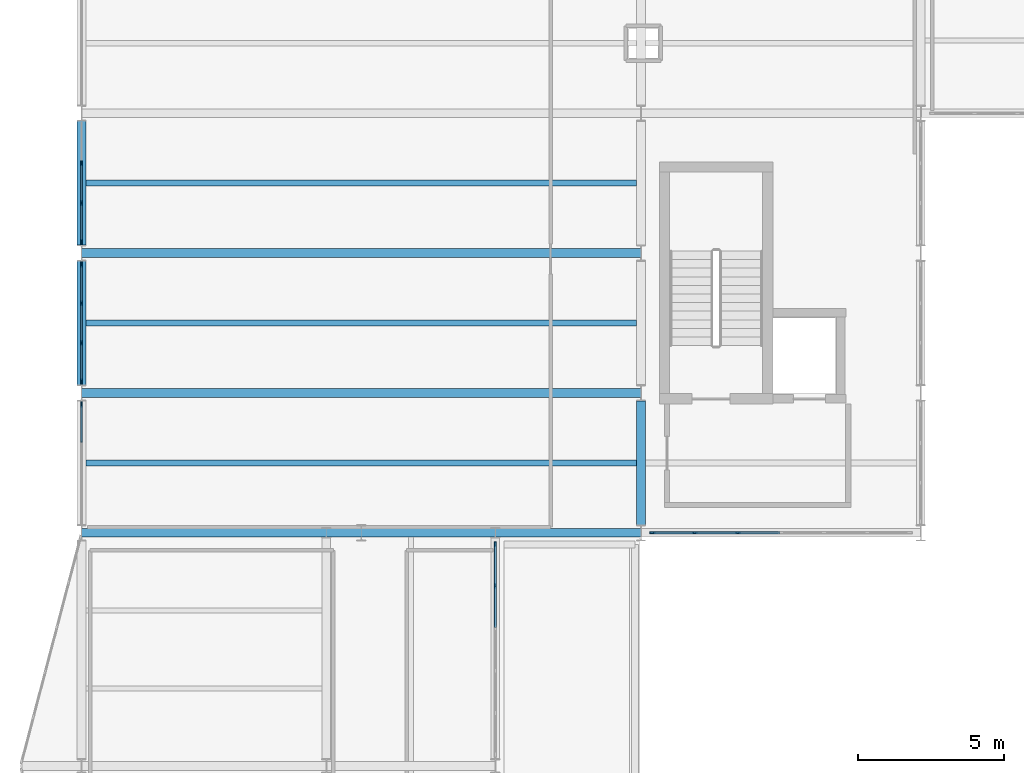
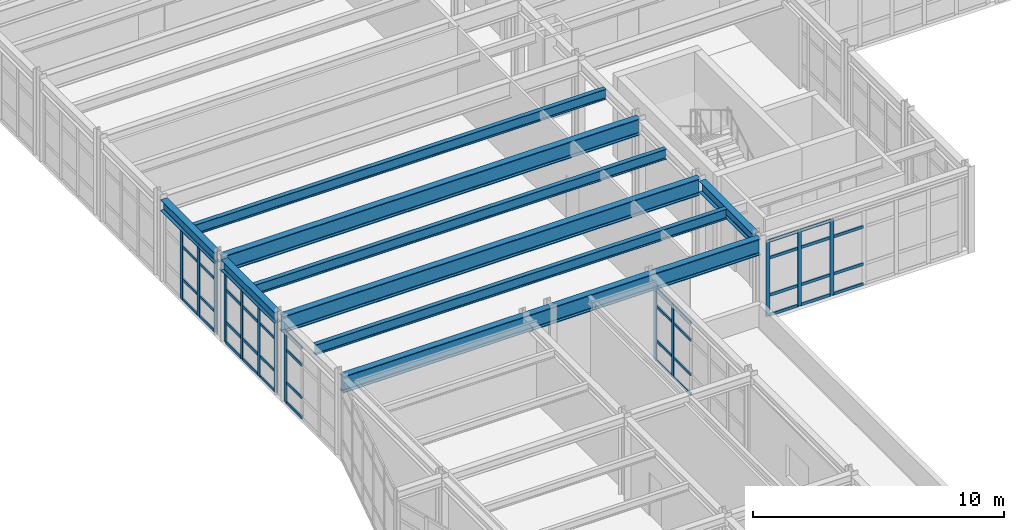
# One storey, part 22 of 64: 56 members, 9 beams, 5 elements without a shape of their own.
"""IFC4 building model written with IfcOpenShell, lengths in metres."""

from ifc_helpers import new_model, si_unit, direction, frame, origin, origin_2d, place, context, subcontext, project, spatial, rectangle, i_section, extrude, material, layer, layer_set, material_profile, profile_set, type_object, element, aggregate, save


model = new_model("IFC4")

# Units and contexts
model_context = context("Model", 3, precision=1e-05, world=origin(), true_north=direction((0.0, 1.0)))
body_context = subcontext(model_context, "Body", "Model", "MODEL_VIEW")
ifc_project = project(units=[si_unit("LENGTHUNIT", "METRE"), si_unit("AREAUNIT", "SQUARE_METRE"), si_unit("VOLUMEUNIT", "CUBIC_METRE"), si_unit("PLANEANGLEUNIT", "RADIAN"), si_unit("MASSUNIT", "GRAM", prefix="KILO")], contexts=[model_context])

# Site, building, storey
site_placement = place(None, origin())
site = spatial("IfcSite", under=ifc_project, at=site_placement, CompositionType="ELEMENT")
building_placement = place(site_placement, origin())
building = spatial("IfcBuilding", under=site, at=building_placement, Name="Nordkorset Police Headquarters", CompositionType="ELEMENT")
storey_placement = place(building_placement, frame((0.0, 0.0, 17.85009765625)))
storey = spatial("IfcBuildingStorey", under=building, at=storey_placement, Name="L04", CompositionType="ELEMENT", Elevation=17.85009765625)

# Beams
ifc_material_1 = material(Name="Steel S355J2", Category="steel")
ifc_material_profile_1 = material_profile(ifc_material_1, i_section(OverallWidth=0.199951171875, OverallDepth=0.5, WebThickness=0.01025390625, FlangeThickness=0.01611328125, FilletRadius=0.02099609375, at=origin_2d()), Name="IPE 500")
ifc_profile_set_1 = profile_set([ifc_material_profile_1], Name="Steel S355J2")
beam_type_1 = type_object("IfcBeamType", Name="Beam_IPE_500", PredefinedType="BEAM", material=ifc_profile_set_1)
for number, where, z_axis, x_axis, name in (
    (1, (0.14990234375, 85.60009765625, 3.739990234375), (1.0, 0.0, 0.0), (0.0, 1.0, 0.0), "Composite Floor Beam V1 L04 0-0-1"),
    (2, (0.14990234375, 90.39990234375, 3.739990234375), (1.0, 0.0, 0.0), (0.0, 1.0, 0.0), "Composite Floor Beam V1 L04 0-1-1"),
    (3, (0.14990234375, 95.199951171875, 3.739990234375), (1.0, 0.0, 0.0), (0.0, 1.0, 0.0), "Composite Floor Beam V1 L04 0-2-1"),
):
    element("IfcBeam", number, at=place(storey_placement, frame(where, z_axis=z_axis, x_axis=x_axis)), inside=storey, type_object=beam_type_1, Name=name, PredefinedType="BEAM", context=body_context, shape_type="SweptSolid", body=[
        extrude(i_section(OverallWidth=0.199951171875, OverallDepth=0.5, WebThickness=0.01025390625, FlangeThickness=0.01611328125, FilletRadius=0.02099609375, at=origin_2d()), origin(), (0.0, 0.0, 1.0), 18.900146484375),
    ])

# Curtain wall, member
ifc_material_2 = material(Name="Aluminium alloy AW-6060", Category="aluminium")
ifc_layer_1 = layer(ifc_material_2, 0.179931640625, Name="Aluminium alloy AW-6060")
ifc_layer_set_1 = layer_set([ifc_layer_1], Name="Aluminium alloy AW-6060")
curtain_wall_type_1 = type_object("IfcCurtainWallType", Name="CW_Unit_408x343", PredefinedType="USERDEFINED", material=ifc_layer_set_1)
curtain_wall_1_placement = place(storey_placement, origin())
curtain_wall_1 = element("IfcCurtainWall", 4, at=curtain_wall_1_placement, inside=storey, type_object=curtain_wall_type_1, Name="Unitised Curtain Wall L04 V1W-0", ObjectType="UNITISED CURTAIN WALL", PredefinedType="USERDEFINED")
ifc_material_3 = material(Name="Aluminium alloy AW-6060", Category="aluminium")
ifc_material_profile_2 = material_profile(ifc_material_3, rectangle(XDim=0.06494140625, YDim=0.179931640625, at=origin_2d()), Name="ALU MULL 65x180")
ifc_profile_set_2 = profile_set([ifc_material_profile_2], Name="Aluminium alloy AW-6060")
member_type_1 = type_object("IfcMemberType", Name="CW_Mullion_65x180", PredefinedType="MULLION", material=ifc_profile_set_2)
member_1_placement = place(storey_placement, frame((0.0, 87.607421875, 0.0), z_axis=(0.0, 0.0, 1.0), x_axis=(-1.0, 0.0, 0.0)))
member_1 = element("IfcMember", 5, at=member_1_placement, type_object=member_type_1, Name="CW-89 mullion 4", PredefinedType="MULLION", context=body_context, shape_type="SweptSolid", body=[
    extrude(rectangle(XDim=0.06494140625, YDim=0.179931640625, at=origin_2d()), origin(), (0.0, 0.0, 1.0), 3.429931640625),
])

# Curtain wall, members
curtain_wall_2_placement = place(storey_placement, origin())
curtain_wall_2 = element("IfcCurtainWall", 6, at=curtain_wall_2_placement, inside=storey, type_object=curtain_wall_type_1, Name="Unitised Curtain Wall L04 V1W-1", ObjectType="UNITISED CURTAIN WALL", PredefinedType="USERDEFINED")
member_2_placement = place(storey_placement, frame((0.0, 88.392578125, 0.0), z_axis=(0.0, 0.0, 1.0), x_axis=(-1.0, 0.0, 0.0)))
member_2 = element("IfcMember", 7, at=member_2_placement, type_object=member_type_1, Name="CW-89 mullion 1", PredefinedType="MULLION", context=body_context, shape_type="SweptSolid", body=[
    extrude(rectangle(XDim=0.06494140625, YDim=0.179931640625, at=origin_2d()), origin(), (0.0, 0.0, 1.0), 3.429931640625),
])
member_3_placement = place(storey_placement, frame((0.0, 89.719970703125, 0.0), z_axis=(0.0, 0.0, 1.0), x_axis=(-1.0, 0.0, 0.0)))
member_3 = element("IfcMember", 8, at=member_3_placement, type_object=member_type_1, Name="CW-89 mullion 2", PredefinedType="MULLION", context=body_context, shape_type="SweptSolid", body=[
    extrude(rectangle(XDim=0.06494140625, YDim=0.179931640625, at=origin_2d()), origin(), (0.0, 0.0, 1.0), 3.429931640625),
])
member_4_placement = place(storey_placement, frame((0.0, 91.080078125, 0.0), z_axis=(0.0, 0.0, 1.0), x_axis=(-1.0, 0.0, 0.0)))
member_4 = element("IfcMember", 9, at=member_4_placement, type_object=member_type_1, Name="CW-89 mullion 3", PredefinedType="MULLION", context=body_context, shape_type="SweptSolid", body=[
    extrude(rectangle(XDim=0.06494140625, YDim=0.179931640625, at=origin_2d()), origin(), (0.0, 0.0, 1.0), 3.429931640625),
])
member_5_placement = place(storey_placement, frame((0.0, 92.407470703125, 0.0), z_axis=(0.0, 0.0, 1.0), x_axis=(-1.0, 0.0, 0.0)))
member_5 = element("IfcMember", 10, at=member_5_placement, type_object=member_type_1, Name="CW-89 mullion 4", PredefinedType="MULLION", context=body_context, shape_type="SweptSolid", body=[
    extrude(rectangle(XDim=0.06494140625, YDim=0.179931640625, at=origin_2d()), origin(), (0.0, 0.0, 1.0), 3.429931640625),
])

curtain_wall_3_placement = place(storey_placement, origin())
curtain_wall_3 = element("IfcCurtainWall", 11, at=curtain_wall_3_placement, inside=storey, type_object=curtain_wall_type_1, Name="Unitised Curtain Wall L04 V1W-2", ObjectType="UNITISED CURTAIN WALL", PredefinedType="USERDEFINED")
member_6_placement = place(storey_placement, frame((0.0, 93.1923828125, 0.0), z_axis=(0.0, 0.0, 1.0), x_axis=(-1.0, 0.0, 0.0)))
member_6 = element("IfcMember", 12, at=member_6_placement, type_object=member_type_1, Name="CW-89 mullion 1", PredefinedType="MULLION", context=body_context, shape_type="SweptSolid", body=[
    extrude(rectangle(XDim=0.06494140625, YDim=0.179931640625, at=origin_2d()), origin(), (0.0, 0.0, 1.0), 3.429931640625),
])
member_7_placement = place(storey_placement, frame((0.0, 94.52001953125, 0.0), z_axis=(0.0, 0.0, 1.0), x_axis=(-1.0, 0.0, 0.0)))
member_7 = element("IfcMember", 13, at=member_7_placement, type_object=member_type_1, Name="CW-89 mullion 2", PredefinedType="MULLION", context=body_context, shape_type="SweptSolid", body=[
    extrude(rectangle(XDim=0.06494140625, YDim=0.179931640625, at=origin_2d()), origin(), (0.0, 0.0, 1.0), 3.429931640625),
])
member_8_placement = place(storey_placement, frame((0.0, 95.8798828125, 0.0), z_axis=(0.0, 0.0, 1.0), x_axis=(-1.0, 0.0, 0.0)))
member_8 = element("IfcMember", 14, at=member_8_placement, type_object=member_type_1, Name="CW-89 mullion 3", PredefinedType="MULLION", context=body_context, shape_type="SweptSolid", body=[
    extrude(rectangle(XDim=0.06494140625, YDim=0.179931640625, at=origin_2d()), origin(), (0.0, 0.0, 1.0), 3.429931640625),
])

ifc_material_4 = material(Name="Aluminium alloy AW-6060", Category="aluminium")
ifc_layer_2 = layer(ifc_material_4, 0.179931640625, Name="Aluminium alloy AW-6060")
ifc_layer_set_2 = layer_set([ifc_layer_2], Name="Aluminium alloy AW-6060")
curtain_wall_type_2 = type_object("IfcCurtainWallType", Name="CW_Unit_888x366", PredefinedType="USERDEFINED", material=ifc_layer_set_2)
curtain_wall_4_placement = place(storey_placement, origin())
curtain_wall_4 = element("IfcCurtainWall", 15, at=curtain_wall_4_placement, inside=storey, type_object=curtain_wall_type_2, Name="Unitised Curtain Wall L04 V1S-2", ObjectType="UNITISED CURTAIN WALL", PredefinedType="USERDEFINED")
member_9_placement = place(storey_placement, frame((19.592529296875, 83.199951171875, 0.0), z_axis=(0.0, 0.0, 1.0), x_axis=(0.0, 1.0, 0.0)))
member_9 = element("IfcMember", 16, at=member_9_placement, type_object=member_type_1, Name="CW-19 mullion 1", PredefinedType="MULLION", context=body_context, shape_type="SweptSolid", body=[
    extrude(rectangle(XDim=0.06494140625, YDim=0.179931640625, at=origin_2d()), origin(), (0.0, 0.0, 1.0), 3.659912109375),
])
member_10_placement = place(storey_placement, frame((21.0400390625, 83.199951171875, 0.0), z_axis=(0.0, 0.0, 1.0), x_axis=(0.0, 1.0, 0.0)))
member_10 = element("IfcMember", 17, at=member_10_placement, type_object=member_type_1, Name="CW-19 mullion 2", PredefinedType="MULLION", context=body_context, shape_type="SweptSolid", body=[
    extrude(rectangle(XDim=0.06494140625, YDim=0.179931640625, at=origin_2d()), origin(), (0.0, 0.0, 1.0), 3.659912109375),
])
member_11_placement = place(storey_placement, frame((22.52001953125, 83.199951171875, 0.0), z_axis=(0.0, 0.0, 1.0), x_axis=(0.0, 1.0, 0.0)))
member_11 = element("IfcMember", 18, at=member_11_placement, type_object=member_type_1, Name="CW-19 mullion 3", PredefinedType="MULLION", context=body_context, shape_type="SweptSolid", body=[
    extrude(rectangle(XDim=0.06494140625, YDim=0.179931640625, at=origin_2d()), origin(), (0.0, 0.0, 1.0), 3.659912109375),
])

ifc_material_5 = material(Name="Aluminium alloy AW-6060", Category="aluminium")
ifc_layer_3 = layer(ifc_material_5, 0.179931640625, Name="Aluminium alloy AW-6060")
ifc_layer_set_3 = layer_set([ifc_layer_3], Name="Aluminium alloy AW-6060")
curtain_wall_type_3 = type_object("IfcCurtainWallType", Name="CW_Unit_728x352", PredefinedType="USERDEFINED", material=ifc_layer_set_3)
curtain_wall_5_placement = place(storey_placement, origin())
curtain_wall_5 = element("IfcCurtainWall", 19, at=curtain_wall_5_placement, inside=storey, type_object=curtain_wall_type_3, Name="Unitised Curtain Wall L04 V3E-5", ObjectType="UNITISED CURTAIN WALL", PredefinedType="USERDEFINED")
member_12_placement = place(storey_placement, frame((14.199951171875, 81.384033203125, 0.0), z_axis=(0.0, 0.0, 1.0), x_axis=(-1.0, 0.0, 0.0)))
member_12 = element("IfcMember", 20, at=member_12_placement, type_object=member_type_1, Name="CW-79 mullion 5", PredefinedType="MULLION", context=body_context, shape_type="SweptSolid", body=[
    extrude(rectangle(XDim=0.06494140625, YDim=0.179931640625, at=origin_2d()), origin(), (0.0, 0.0, 1.0), 3.52490234375),
])
member_13_placement = place(storey_placement, frame((14.199951171875, 82.8076171875, 0.0), z_axis=(0.0, 0.0, 1.0), x_axis=(-1.0, 0.0, 0.0)))
member_13 = element("IfcMember", 21, at=member_13_placement, type_object=member_type_1, Name="CW-79 mullion 6", PredefinedType="MULLION", context=body_context, shape_type="SweptSolid", body=[
    extrude(rectangle(XDim=0.06494140625, YDim=0.179931640625, at=origin_2d()), origin(), (0.0, 0.0, 1.0), 3.52490234375),
])

# Member
ifc_material_6 = material(Name="Aluminium alloy AW-6060", Category="aluminium")
ifc_material_profile_3 = material_profile(ifc_material_6, rectangle(XDim=0.06494140625, YDim=0.139892578125, at=origin_2d()), Name="ALU TRAN 65x140")
ifc_profile_set_3 = profile_set([ifc_material_profile_3], Name="Aluminium alloy AW-6060")
member_type_2 = type_object("IfcMemberType", Name="CW_Transom_65x140", PredefinedType="USERDEFINED", material=ifc_profile_set_3)
member_14_placement = place(storey_placement, frame((0.0, 86.3125, 0.032470703125), z_axis=(0.0, 1.0, 0.0), x_axis=(-1.0, 0.0, 0.0)))
member_14 = element("IfcMember", 22, at=member_14_placement, type_object=member_type_2, Name="CW-89 transom 3.1", ObjectType="TRANSOM", PredefinedType="USERDEFINED", context=body_context, shape_type="SweptSolid", body=[
    extrude(rectangle(XDim=0.06494140625, YDim=0.139892578125, at=origin_2d()), origin(), (0.0, 0.0, 1.0), 1.262451171875),
])

member_15_placement = place(storey_placement, frame((0.0, 86.3125, 1.0), z_axis=(0.0, 1.0, 0.0), x_axis=(-1.0, 0.0, 0.0)))
member_15 = element("IfcMember", 23, at=member_15_placement, type_object=member_type_2, Name="CW-89 transom 3.2", ObjectType="TRANSOM", PredefinedType="USERDEFINED", context=body_context, shape_type="SweptSolid", body=[
    extrude(rectangle(XDim=0.06494140625, YDim=0.139892578125, at=origin_2d()), origin(), (0.0, 0.0, 1.0), 1.262451171875),
])

member_16_placement = place(storey_placement, frame((0.0, 86.3125, 2.579833984375), z_axis=(0.0, 1.0, 0.0), x_axis=(-1.0, 0.0, 0.0)))
member_16 = element("IfcMember", 24, at=member_16_placement, type_object=member_type_2, Name="CW-89 transom 3.3", ObjectType="TRANSOM", PredefinedType="USERDEFINED", context=body_context, shape_type="SweptSolid", body=[
    extrude(rectangle(XDim=0.06494140625, YDim=0.139892578125, at=origin_2d()), origin(), (0.0, 0.0, 1.0), 1.262451171875),
])

member_17_placement = place(storey_placement, frame((0.0, 86.3125, 3.3974609375), z_axis=(0.0, 1.0, 0.0), x_axis=(-1.0, 0.0, 0.0)))
member_17 = element("IfcMember", 25, at=member_17_placement, type_object=member_type_2, Name="CW-89 transom 3.4", ObjectType="TRANSOM", PredefinedType="USERDEFINED", context=body_context, shape_type="SweptSolid", body=[
    extrude(rectangle(XDim=0.06494140625, YDim=0.139892578125, at=origin_2d()), origin(), (0.0, 0.0, 1.0), 1.262451171875),
])

aggregate(curtain_wall_1, [member_1, member_14, member_15, member_16, member_17])

member_18_placement = place(storey_placement, frame((0.0, 88.425048828125, 0.032470703125), z_axis=(0.0, 1.0, 0.0), x_axis=(-1.0, 0.0, 0.0)))
member_18 = element("IfcMember", 26, at=member_18_placement, type_object=member_type_2, Name="CW-89 transom 1.1", ObjectType="TRANSOM", PredefinedType="USERDEFINED", context=body_context, shape_type="SweptSolid", body=[
    extrude(rectangle(XDim=0.06494140625, YDim=0.139892578125, at=origin_2d()), origin(), (0.0, 0.0, 1.0), 1.262451171875),
])

member_19_placement = place(storey_placement, frame((0.0, 88.425048828125, 1.0), z_axis=(0.0, 1.0, 0.0), x_axis=(-1.0, 0.0, 0.0)))
member_19 = element("IfcMember", 27, at=member_19_placement, type_object=member_type_2, Name="CW-89 transom 1.2", ObjectType="TRANSOM", PredefinedType="USERDEFINED", context=body_context, shape_type="SweptSolid", body=[
    extrude(rectangle(XDim=0.06494140625, YDim=0.139892578125, at=origin_2d()), origin(), (0.0, 0.0, 1.0), 1.262451171875),
])

member_20_placement = place(storey_placement, frame((0.0, 88.425048828125, 2.579833984375), z_axis=(0.0, 1.0, 0.0), x_axis=(-1.0, 0.0, 0.0)))
member_20 = element("IfcMember", 28, at=member_20_placement, type_object=member_type_2, Name="CW-89 transom 1.3", ObjectType="TRANSOM", PredefinedType="USERDEFINED", context=body_context, shape_type="SweptSolid", body=[
    extrude(rectangle(XDim=0.06494140625, YDim=0.139892578125, at=origin_2d()), origin(), (0.0, 0.0, 1.0), 1.262451171875),
])

member_21_placement = place(storey_placement, frame((0.0, 88.425048828125, 3.3974609375), z_axis=(0.0, 1.0, 0.0), x_axis=(-1.0, 0.0, 0.0)))
member_21 = element("IfcMember", 29, at=member_21_placement, type_object=member_type_2, Name="CW-89 transom 1.4", ObjectType="TRANSOM", PredefinedType="USERDEFINED", context=body_context, shape_type="SweptSolid", body=[
    extrude(rectangle(XDim=0.06494140625, YDim=0.139892578125, at=origin_2d()), origin(), (0.0, 0.0, 1.0), 1.262451171875),
])

member_22_placement = place(storey_placement, frame((0.0, 89.75244140625, 0.032470703125), z_axis=(0.0, 1.0, 0.0), x_axis=(-1.0, 0.0, 0.0)))
member_22 = element("IfcMember", 30, at=member_22_placement, type_object=member_type_2, Name="CW-89 transom 2.1", ObjectType="TRANSOM", PredefinedType="USERDEFINED", context=body_context, shape_type="SweptSolid", body=[
    extrude(rectangle(XDim=0.06494140625, YDim=0.139892578125, at=origin_2d()), origin(), (0.0, 0.0, 1.0), 1.295166015625),
])

member_23_placement = place(storey_placement, frame((0.0, 89.75244140625, 1.0), z_axis=(0.0, 1.0, 0.0), x_axis=(-1.0, 0.0, 0.0)))
member_23 = element("IfcMember", 31, at=member_23_placement, type_object=member_type_2, Name="CW-89 transom 2.2", ObjectType="TRANSOM", PredefinedType="USERDEFINED", context=body_context, shape_type="SweptSolid", body=[
    extrude(rectangle(XDim=0.06494140625, YDim=0.139892578125, at=origin_2d()), origin(), (0.0, 0.0, 1.0), 1.295166015625),
])

member_24_placement = place(storey_placement, frame((0.0, 89.75244140625, 2.579833984375), z_axis=(0.0, 1.0, 0.0), x_axis=(-1.0, 0.0, 0.0)))
member_24 = element("IfcMember", 32, at=member_24_placement, type_object=member_type_2, Name="CW-89 transom 2.3", ObjectType="TRANSOM", PredefinedType="USERDEFINED", context=body_context, shape_type="SweptSolid", body=[
    extrude(rectangle(XDim=0.06494140625, YDim=0.139892578125, at=origin_2d()), origin(), (0.0, 0.0, 1.0), 1.295166015625),
])

member_25_placement = place(storey_placement, frame((0.0, 89.75244140625, 3.3974609375), z_axis=(0.0, 1.0, 0.0), x_axis=(-1.0, 0.0, 0.0)))
member_25 = element("IfcMember", 33, at=member_25_placement, type_object=member_type_2, Name="CW-89 transom 2.4", ObjectType="TRANSOM", PredefinedType="USERDEFINED", context=body_context, shape_type="SweptSolid", body=[
    extrude(rectangle(XDim=0.06494140625, YDim=0.139892578125, at=origin_2d()), origin(), (0.0, 0.0, 1.0), 1.295166015625),
])

member_26_placement = place(storey_placement, frame((0.0, 91.112548828125, 0.032470703125), z_axis=(0.0, 1.0, 0.0), x_axis=(-1.0, 0.0, 0.0)))
member_26 = element("IfcMember", 34, at=member_26_placement, type_object=member_type_2, Name="CW-89 transom 3.1", ObjectType="TRANSOM", PredefinedType="USERDEFINED", context=body_context, shape_type="SweptSolid", body=[
    extrude(rectangle(XDim=0.06494140625, YDim=0.139892578125, at=origin_2d()), origin(), (0.0, 0.0, 1.0), 1.262451171875),
])

member_27_placement = place(storey_placement, frame((0.0, 91.112548828125, 1.0), z_axis=(0.0, 1.0, 0.0), x_axis=(-1.0, 0.0, 0.0)))
member_27 = element("IfcMember", 35, at=member_27_placement, type_object=member_type_2, Name="CW-89 transom 3.2", ObjectType="TRANSOM", PredefinedType="USERDEFINED", context=body_context, shape_type="SweptSolid", body=[
    extrude(rectangle(XDim=0.06494140625, YDim=0.139892578125, at=origin_2d()), origin(), (0.0, 0.0, 1.0), 1.262451171875),
])

member_28_placement = place(storey_placement, frame((0.0, 91.112548828125, 2.579833984375), z_axis=(0.0, 1.0, 0.0), x_axis=(-1.0, 0.0, 0.0)))
member_28 = element("IfcMember", 36, at=member_28_placement, type_object=member_type_2, Name="CW-89 transom 3.3", ObjectType="TRANSOM", PredefinedType="USERDEFINED", context=body_context, shape_type="SweptSolid", body=[
    extrude(rectangle(XDim=0.06494140625, YDim=0.139892578125, at=origin_2d()), origin(), (0.0, 0.0, 1.0), 1.262451171875),
])

member_29_placement = place(storey_placement, frame((0.0, 91.112548828125, 3.3974609375), z_axis=(0.0, 1.0, 0.0), x_axis=(-1.0, 0.0, 0.0)))
member_29 = element("IfcMember", 37, at=member_29_placement, type_object=member_type_2, Name="CW-89 transom 3.4", ObjectType="TRANSOM", PredefinedType="USERDEFINED", context=body_context, shape_type="SweptSolid", body=[
    extrude(rectangle(XDim=0.06494140625, YDim=0.139892578125, at=origin_2d()), origin(), (0.0, 0.0, 1.0), 1.262451171875),
])

aggregate(curtain_wall_2, [member_2, member_3, member_4, member_5, member_18, member_19, member_20, member_21, member_22, member_23, member_24, member_25, member_26, member_27, member_28, member_29])

member_30_placement = place(storey_placement, frame((0.0, 93.22509765625, 0.032470703125), z_axis=(0.0, 1.0, 0.0), x_axis=(-1.0, 0.0, 0.0)))
member_30 = element("IfcMember", 38, at=member_30_placement, type_object=member_type_2, Name="CW-89 transom 1.1", ObjectType="TRANSOM", PredefinedType="USERDEFINED", context=body_context, shape_type="SweptSolid", body=[
    extrude(rectangle(XDim=0.06494140625, YDim=0.139892578125, at=origin_2d()), origin(), (0.0, 0.0, 1.0), 1.262451171875),
])

member_31_placement = place(storey_placement, frame((0.0, 93.22509765625, 1.0), z_axis=(0.0, 1.0, 0.0), x_axis=(-1.0, 0.0, 0.0)))
member_31 = element("IfcMember", 39, at=member_31_placement, type_object=member_type_2, Name="CW-89 transom 1.2", ObjectType="TRANSOM", PredefinedType="USERDEFINED", context=body_context, shape_type="SweptSolid", body=[
    extrude(rectangle(XDim=0.06494140625, YDim=0.139892578125, at=origin_2d()), origin(), (0.0, 0.0, 1.0), 1.262451171875),
])

member_32_placement = place(storey_placement, frame((0.0, 93.22509765625, 2.579833984375), z_axis=(0.0, 1.0, 0.0), x_axis=(-1.0, 0.0, 0.0)))
member_32 = element("IfcMember", 40, at=member_32_placement, type_object=member_type_2, Name="CW-89 transom 1.3", ObjectType="TRANSOM", PredefinedType="USERDEFINED", context=body_context, shape_type="SweptSolid", body=[
    extrude(rectangle(XDim=0.06494140625, YDim=0.139892578125, at=origin_2d()), origin(), (0.0, 0.0, 1.0), 1.262451171875),
])

member_33_placement = place(storey_placement, frame((0.0, 93.22509765625, 3.3974609375), z_axis=(0.0, 1.0, 0.0), x_axis=(-1.0, 0.0, 0.0)))
member_33 = element("IfcMember", 41, at=member_33_placement, type_object=member_type_2, Name="CW-89 transom 1.4", ObjectType="TRANSOM", PredefinedType="USERDEFINED", context=body_context, shape_type="SweptSolid", body=[
    extrude(rectangle(XDim=0.06494140625, YDim=0.139892578125, at=origin_2d()), origin(), (0.0, 0.0, 1.0), 1.262451171875),
])

member_34_placement = place(storey_placement, frame((0.0, 94.552490234375, 0.032470703125), z_axis=(0.0, 1.0, 0.0), x_axis=(-1.0, 0.0, 0.0)))
member_34 = element("IfcMember", 42, at=member_34_placement, type_object=member_type_2, Name="CW-89 transom 2.1", ObjectType="TRANSOM", PredefinedType="USERDEFINED", context=body_context, shape_type="SweptSolid", body=[
    extrude(rectangle(XDim=0.06494140625, YDim=0.139892578125, at=origin_2d()), origin(), (0.0, 0.0, 1.0), 1.294921875),
])

member_35_placement = place(storey_placement, frame((0.0, 94.552490234375, 1.0), z_axis=(0.0, 1.0, 0.0), x_axis=(-1.0, 0.0, 0.0)))
member_35 = element("IfcMember", 43, at=member_35_placement, type_object=member_type_2, Name="CW-89 transom 2.2", ObjectType="TRANSOM", PredefinedType="USERDEFINED", context=body_context, shape_type="SweptSolid", body=[
    extrude(rectangle(XDim=0.06494140625, YDim=0.139892578125, at=origin_2d()), origin(), (0.0, 0.0, 1.0), 1.294921875),
])

member_36_placement = place(storey_placement, frame((0.0, 94.552490234375, 2.579833984375), z_axis=(0.0, 1.0, 0.0), x_axis=(-1.0, 0.0, 0.0)))
member_36 = element("IfcMember", 44, at=member_36_placement, type_object=member_type_2, Name="CW-89 transom 2.3", ObjectType="TRANSOM", PredefinedType="USERDEFINED", context=body_context, shape_type="SweptSolid", body=[
    extrude(rectangle(XDim=0.06494140625, YDim=0.139892578125, at=origin_2d()), origin(), (0.0, 0.0, 1.0), 1.294921875),
])

member_37_placement = place(storey_placement, frame((0.0, 94.552490234375, 3.3974609375), z_axis=(0.0, 1.0, 0.0), x_axis=(-1.0, 0.0, 0.0)))
member_37 = element("IfcMember", 45, at=member_37_placement, type_object=member_type_2, Name="CW-89 transom 2.4", ObjectType="TRANSOM", PredefinedType="USERDEFINED", context=body_context, shape_type="SweptSolid", body=[
    extrude(rectangle(XDim=0.06494140625, YDim=0.139892578125, at=origin_2d()), origin(), (0.0, 0.0, 1.0), 1.294921875),
])

aggregate(curtain_wall_3, [member_6, member_7, member_8, member_30, member_31, member_32, member_33, member_34, member_35, member_36, member_37])

member_38_placement = place(storey_placement, frame((19.625, 83.199951171875, 0.032470703125), z_axis=(1.0, 0.0, 0.0), x_axis=(0.0, 1.0, 0.0)))
member_38 = element("IfcMember", 46, at=member_38_placement, type_object=member_type_2, Name="CW-19 transom 1.1", ObjectType="TRANSOM", PredefinedType="USERDEFINED", context=body_context, shape_type="SweptSolid", body=[
    extrude(rectangle(XDim=0.06494140625, YDim=0.139892578125, at=origin_2d()), origin(), (0.0, 0.0, 1.0), 1.382568359375),
])

member_39_placement = place(storey_placement, frame((19.625, 83.199951171875, 1.0), z_axis=(1.0, 0.0, 0.0), x_axis=(0.0, 1.0, 0.0)))
member_39 = element("IfcMember", 47, at=member_39_placement, type_object=member_type_2, Name="CW-19 transom 1.2", ObjectType="TRANSOM", PredefinedType="USERDEFINED", context=body_context, shape_type="SweptSolid", body=[
    extrude(rectangle(XDim=0.06494140625, YDim=0.139892578125, at=origin_2d()), origin(), (0.0, 0.0, 1.0), 1.382568359375),
])

member_40_placement = place(storey_placement, frame((19.625, 83.199951171875, 2.809814453125), z_axis=(1.0, 0.0, 0.0), x_axis=(0.0, 1.0, 0.0)))
member_40 = element("IfcMember", 48, at=member_40_placement, type_object=member_type_2, Name="CW-19 transom 1.3", ObjectType="TRANSOM", PredefinedType="USERDEFINED", context=body_context, shape_type="SweptSolid", body=[
    extrude(rectangle(XDim=0.06494140625, YDim=0.139892578125, at=origin_2d()), origin(), (0.0, 0.0, 1.0), 1.382568359375),
])

member_41_placement = place(storey_placement, frame((19.625, 83.199951171875, 3.62744140625), z_axis=(1.0, 0.0, 0.0), x_axis=(0.0, 1.0, 0.0)))
member_41 = element("IfcMember", 49, at=member_41_placement, type_object=member_type_2, Name="CW-19 transom 1.4", ObjectType="TRANSOM", PredefinedType="USERDEFINED", context=body_context, shape_type="SweptSolid", body=[
    extrude(rectangle(XDim=0.06494140625, YDim=0.139892578125, at=origin_2d()), origin(), (0.0, 0.0, 1.0), 1.382568359375),
])

member_42_placement = place(storey_placement, frame((21.072509765625, 83.199951171875, 0.032470703125), z_axis=(1.0, 0.0, 0.0), x_axis=(0.0, 1.0, 0.0)))
member_42 = element("IfcMember", 50, at=member_42_placement, type_object=member_type_2, Name="CW-19 transom 2.1", ObjectType="TRANSOM", PredefinedType="USERDEFINED", context=body_context, shape_type="SweptSolid", body=[
    extrude(rectangle(XDim=0.06494140625, YDim=0.139892578125, at=origin_2d()), origin(), (0.0, 0.0, 1.0), 1.4150390625),
])

member_43_placement = place(storey_placement, frame((21.072509765625, 83.199951171875, 1.0), z_axis=(1.0, 0.0, 0.0), x_axis=(0.0, 1.0, 0.0)))
member_43 = element("IfcMember", 51, at=member_43_placement, type_object=member_type_2, Name="CW-19 transom 2.2", ObjectType="TRANSOM", PredefinedType="USERDEFINED", context=body_context, shape_type="SweptSolid", body=[
    extrude(rectangle(XDim=0.06494140625, YDim=0.139892578125, at=origin_2d()), origin(), (0.0, 0.0, 1.0), 1.4150390625),
])

member_44_placement = place(storey_placement, frame((21.072509765625, 83.199951171875, 2.809814453125), z_axis=(1.0, 0.0, 0.0), x_axis=(0.0, 1.0, 0.0)))
member_44 = element("IfcMember", 52, at=member_44_placement, type_object=member_type_2, Name="CW-19 transom 2.3", ObjectType="TRANSOM", PredefinedType="USERDEFINED", context=body_context, shape_type="SweptSolid", body=[
    extrude(rectangle(XDim=0.06494140625, YDim=0.139892578125, at=origin_2d()), origin(), (0.0, 0.0, 1.0), 1.4150390625),
])

member_45_placement = place(storey_placement, frame((21.072509765625, 83.199951171875, 3.62744140625), z_axis=(1.0, 0.0, 0.0), x_axis=(0.0, 1.0, 0.0)))
member_45 = element("IfcMember", 53, at=member_45_placement, type_object=member_type_2, Name="CW-19 transom 2.4", ObjectType="TRANSOM", PredefinedType="USERDEFINED", context=body_context, shape_type="SweptSolid", body=[
    extrude(rectangle(XDim=0.06494140625, YDim=0.139892578125, at=origin_2d()), origin(), (0.0, 0.0, 1.0), 1.4150390625),
])

member_46_placement = place(storey_placement, frame((22.552490234375, 83.199951171875, 0.032470703125), z_axis=(1.0, 0.0, 0.0), x_axis=(0.0, 1.0, 0.0)))
member_46 = element("IfcMember", 54, at=member_46_placement, type_object=member_type_2, Name="CW-19 transom 3.1", ObjectType="TRANSOM", PredefinedType="USERDEFINED", context=body_context, shape_type="SweptSolid", body=[
    extrude(rectangle(XDim=0.06494140625, YDim=0.139892578125, at=origin_2d()), origin(), (0.0, 0.0, 1.0), 1.4150390625),
])

member_47_placement = place(storey_placement, frame((22.552490234375, 83.199951171875, 1.0), z_axis=(1.0, 0.0, 0.0), x_axis=(0.0, 1.0, 0.0)))
member_47 = element("IfcMember", 55, at=member_47_placement, type_object=member_type_2, Name="CW-19 transom 3.2", ObjectType="TRANSOM", PredefinedType="USERDEFINED", context=body_context, shape_type="SweptSolid", body=[
    extrude(rectangle(XDim=0.06494140625, YDim=0.139892578125, at=origin_2d()), origin(), (0.0, 0.0, 1.0), 1.4150390625),
])

member_48_placement = place(storey_placement, frame((22.552490234375, 83.199951171875, 2.809814453125), z_axis=(1.0, 0.0, 0.0), x_axis=(0.0, 1.0, 0.0)))
member_48 = element("IfcMember", 56, at=member_48_placement, type_object=member_type_2, Name="CW-19 transom 3.3", ObjectType="TRANSOM", PredefinedType="USERDEFINED", context=body_context, shape_type="SweptSolid", body=[
    extrude(rectangle(XDim=0.06494140625, YDim=0.139892578125, at=origin_2d()), origin(), (0.0, 0.0, 1.0), 1.4150390625),
])

aggregate(curtain_wall_4, [member_9, member_10, member_11, member_38, member_39, member_40, member_41, member_42, member_43, member_44, member_45, member_46, member_47, member_48])

member_49_placement = place(storey_placement, frame((14.199951171875, 79.96044921875, 0.032470703125), z_axis=(0.0, 1.0, 0.0), x_axis=(-1.0, 0.0, 0.0)))
member_49 = element("IfcMember", 57, at=member_49_placement, type_object=member_type_2, Name="CW-79 transom 4.1", ObjectType="TRANSOM", PredefinedType="USERDEFINED", context=body_context, shape_type="SweptSolid", body=[
    extrude(rectangle(XDim=0.06494140625, YDim=0.139892578125, at=origin_2d()), origin(), (0.0, 0.0, 1.0), 1.39111328125),
])

member_50_placement = place(storey_placement, frame((14.199951171875, 79.96044921875, 1.0), z_axis=(0.0, 1.0, 0.0), x_axis=(-1.0, 0.0, 0.0)))
member_50 = element("IfcMember", 58, at=member_50_placement, type_object=member_type_2, Name="CW-79 transom 4.2", ObjectType="TRANSOM", PredefinedType="USERDEFINED", context=body_context, shape_type="SweptSolid", body=[
    extrude(rectangle(XDim=0.06494140625, YDim=0.139892578125, at=origin_2d()), origin(), (0.0, 0.0, 1.0), 1.39111328125),
])

member_51_placement = place(storey_placement, frame((14.199951171875, 79.96044921875, 2.6748046875), z_axis=(0.0, 1.0, 0.0), x_axis=(-1.0, 0.0, 0.0)))
member_51 = element("IfcMember", 59, at=member_51_placement, type_object=member_type_2, Name="CW-79 transom 4.3", ObjectType="TRANSOM", PredefinedType="USERDEFINED", context=body_context, shape_type="SweptSolid", body=[
    extrude(rectangle(XDim=0.06494140625, YDim=0.139892578125, at=origin_2d()), origin(), (0.0, 0.0, 1.0), 1.39111328125),
])

member_52_placement = place(storey_placement, frame((14.199951171875, 79.96044921875, 3.492431640625), z_axis=(0.0, 1.0, 0.0), x_axis=(-1.0, 0.0, 0.0)))
member_52 = element("IfcMember", 60, at=member_52_placement, type_object=member_type_2, Name="CW-79 transom 4.4", ObjectType="TRANSOM", PredefinedType="USERDEFINED", context=body_context, shape_type="SweptSolid", body=[
    extrude(rectangle(XDim=0.06494140625, YDim=0.139892578125, at=origin_2d()), origin(), (0.0, 0.0, 1.0), 1.39111328125),
])

member_53_placement = place(storey_placement, frame((14.199951171875, 81.41650390625, 0.032470703125), z_axis=(0.0, 1.0, 0.0), x_axis=(-1.0, 0.0, 0.0)))
member_53 = element("IfcMember", 61, at=member_53_placement, type_object=member_type_2, Name="CW-79 transom 5.1", ObjectType="TRANSOM", PredefinedType="USERDEFINED", context=body_context, shape_type="SweptSolid", body=[
    extrude(rectangle(XDim=0.06494140625, YDim=0.139892578125, at=origin_2d()), origin(), (0.0, 0.0, 1.0), 1.3583984375),
])

member_54_placement = place(storey_placement, frame((14.199951171875, 81.41650390625, 1.0), z_axis=(0.0, 1.0, 0.0), x_axis=(-1.0, 0.0, 0.0)))
member_54 = element("IfcMember", 62, at=member_54_placement, type_object=member_type_2, Name="CW-79 transom 5.2", ObjectType="TRANSOM", PredefinedType="USERDEFINED", context=body_context, shape_type="SweptSolid", body=[
    extrude(rectangle(XDim=0.06494140625, YDim=0.139892578125, at=origin_2d()), origin(), (0.0, 0.0, 1.0), 1.3583984375),
])

member_55_placement = place(storey_placement, frame((14.199951171875, 81.41650390625, 2.6748046875), z_axis=(0.0, 1.0, 0.0), x_axis=(-1.0, 0.0, 0.0)))
member_55 = element("IfcMember", 63, at=member_55_placement, type_object=member_type_2, Name="CW-79 transom 5.3", ObjectType="TRANSOM", PredefinedType="USERDEFINED", context=body_context, shape_type="SweptSolid", body=[
    extrude(rectangle(XDim=0.06494140625, YDim=0.139892578125, at=origin_2d()), origin(), (0.0, 0.0, 1.0), 1.3583984375),
])

member_56_placement = place(storey_placement, frame((14.199951171875, 81.41650390625, 3.492431640625), z_axis=(0.0, 1.0, 0.0), x_axis=(-1.0, 0.0, 0.0)))
member_56 = element("IfcMember", 64, at=member_56_placement, type_object=member_type_2, Name="CW-79 transom 5.4", ObjectType="TRANSOM", PredefinedType="USERDEFINED", context=body_context, shape_type="SweptSolid", body=[
    extrude(rectangle(XDim=0.06494140625, YDim=0.139892578125, at=origin_2d()), origin(), (0.0, 0.0, 1.0), 1.3583984375),
])

aggregate(curtain_wall_5, [member_12, member_13, member_49, member_50, member_51, member_52, member_53, member_54, member_55, member_56])

# Beams
ifc_material_7 = material(Name="Steel S355J2", Category="steel")
ifc_material_profile_4 = material_profile(ifc_material_7, i_section(OverallWidth=0.300048828125, OverallDepth=0.5400390625, WebThickness=0.012451171875, FlangeThickness=0.02392578125, FilletRadius=0.027099609375, at=origin_2d()), Name="HEA 550")
ifc_profile_set_4 = profile_set([ifc_material_profile_4], Name="Steel S355J2")
beam_type_2 = type_object("IfcBeamType", Name="Girder_HEA_550", PredefinedType="USERDEFINED", material=ifc_profile_set_4)
for number, where, z_axis, x_axis, name in (
    (65, (0.0, 88.27490234375, 3.719970703125), (0.0, 1.0, 0.0), (-1.0, 0.0, 0.0), "Girder V1 L04 GY-0-1"),
    (66, (0.0, 93.074951171875, 3.719970703125), (0.0, 1.0, 0.0), (-1.0, 0.0, 0.0), "Girder V1 L04 GY-0-2"),
    (67, (19.199951171875, 83.47509765625, 3.719970703125), (0.0, 1.0, 0.0), (-1.0, 0.0, 0.0), "Girder V1 L04 GY-1-0"),
):
    element("IfcBeam", number, at=place(storey_placement, frame(where, z_axis=z_axis, x_axis=x_axis)), inside=storey, type_object=beam_type_2, Name=name, ObjectType="GIRDER", PredefinedType="USERDEFINED", context=body_context, shape_type="SweptSolid", body=[
        extrude(i_section(OverallWidth=0.300048828125, OverallDepth=0.5400390625, WebThickness=0.012451171875, FlangeThickness=0.02392578125, FilletRadius=0.027099609375, at=origin_2d()), origin(), (0.0, 0.0, 1.0), 4.25),
    ])
ifc_material_8 = material(Name="Steel S355J2", Category="steel")
ifc_material_profile_5 = material_profile(ifc_material_8, i_section(OverallWidth=0.300048828125, OverallDepth=0.800048828125, WebThickness=0.017578125, FlangeThickness=0.032958984375, FilletRadius=0.030029296875, at=origin_2d()), Name="HEB 800")
ifc_profile_set_5 = profile_set([ifc_material_profile_5], Name="Steel S355J2")
beam_type_3 = type_object("IfcBeamType", Name="Girder_HEB_800", PredefinedType="USERDEFINED", material=ifc_profile_set_5)
for number, where, z_axis, x_axis, name in (
    (68, (0.007568359375, 83.199951171875, 3.5849609375), (1.0, 0.0, 0.0), (0.0, 1.0, 0.0), "Girder V1 L04 GX-0-0"),
    (69, (0.007568359375, 88.0, 3.58984375), (1.0, 0.0, 0.0), (0.0, 1.0, 0.0), "Girder V1 L04 GX-1-0"),
    (70, (0.007568359375, 92.800048828125, 3.58984375), (1.0, 0.0, 0.0), (0.0, 1.0, 0.0), "Girder V1 L04 GX-2-0"),
):
    element("IfcBeam", number, at=place(storey_placement, frame(where, z_axis=z_axis, x_axis=x_axis)), inside=storey, type_object=beam_type_3, Name=name, ObjectType="GIRDER", PredefinedType="USERDEFINED", context=body_context, shape_type="SweptSolid", body=[
        extrude(i_section(OverallWidth=0.300048828125, OverallDepth=0.800048828125, WebThickness=0.017578125, FlangeThickness=0.032958984375, FilletRadius=0.030029296875, at=origin_2d()), origin(), (0.0, 0.0, 1.0), 19.184814453125),
    ])

save(model, "model.ifc")
